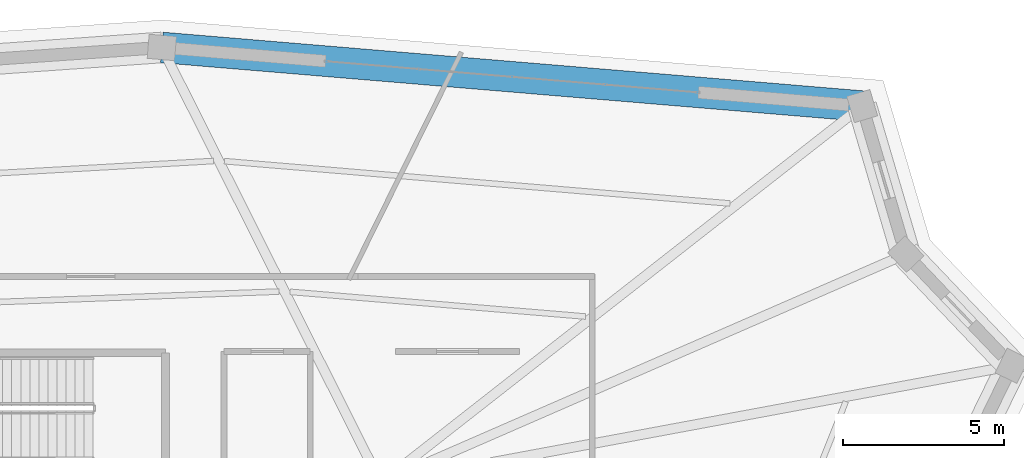
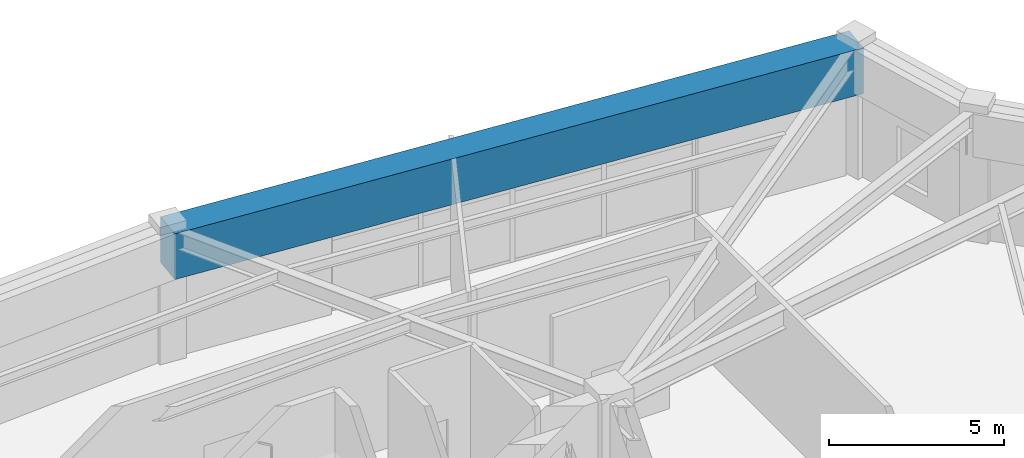
# One storey, part 30 of 40: 1 beam.
"""IFC4 building model written with IfcOpenShell, lengths in metres."""

from ifc_helpers import new_model, si_unit, direction, frame, origin, origin_2d, place, context, subcontext, project, spatial, rectangle, extrude, source, transform, mapped, material, material_profile, profile_set, type_object, element, save


model = new_model("IFC4")

# Units and contexts
model_context = context("Model", 3, precision=1e-05, world=origin(), true_north=direction((0.0, 1.0)))
body_context = subcontext(model_context, "Body", "Model", "MODEL_VIEW")
ifc_project = project(units=[si_unit("LENGTHUNIT", "METRE"), si_unit("AREAUNIT", "SQUARE_METRE"), si_unit("VOLUMEUNIT", "CUBIC_METRE"), si_unit("PLANEANGLEUNIT", "RADIAN"), si_unit("MASSUNIT", "GRAM", prefix="KILO")], contexts=[model_context])

# Site, building, storey
site_placement = place(None, origin())
site = spatial("IfcSite", under=ifc_project, at=site_placement, CompositionType="ELEMENT")
building_placement = place(site_placement, origin())
building = spatial("IfcBuilding", under=site, at=building_placement, Name="Liaohun Quay Tower", CompositionType="ELEMENT")
storey_placement = place(building_placement, frame((0.0, 0.0, 351.0)))
storey = spatial("IfcBuildingStorey", under=building, at=storey_placement, Name="L91", CompositionType="ELEMENT", Elevation=351.0)

# Beam
ifc_material = material(Name="Concrete C55", Category="concrete")
ifc_material_profile = material_profile(ifc_material, rectangle(XDim=0.949951171875, YDim=1.60009765625, at=origin_2d()), Name="RC950x1600")
ifc_profile_set = profile_set([ifc_material_profile], Name="Concrete C55")
beam_type = type_object("IfcBeamType", Name="BM-CAN-LNG", PredefinedType="SPANDREL", material=ifc_profile_set)
shared_shape = source(origin(), body_context, "Body", "SweptSolid", [
    extrude(rectangle(XDim=0.949951171875, YDim=1.60009765625, at=origin_2d()), origin(), (0.0, 0.0, 1.0), 21.802978515625),
])
beam_placement = place(storey_placement, frame((62.20703125, 75.012939453125, 3.719970703125), z_axis=(0.996514334096, -0.083421711453, 0.0), x_axis=(0.083421711453, 0.996514334096, 0.0)))
element("IfcBeam", 1, at=beam_placement, inside=storey, type_object=beam_type, Name="L91 Precast Spandrel Beam PC06-PC07", PredefinedType="SPANDREL", context=body_context, shape_type="MappedRepresentation", body=[
    mapped(shared_shape, transform((0.0, 0.0, 0.0), x_axis=(1.0, 0.0, 0.0), y_axis=(0.0, 1.0, 0.0), z_axis=(0.0, 0.0, 1.0), scale=1.0)),
])

save(model, "model.ifc")
